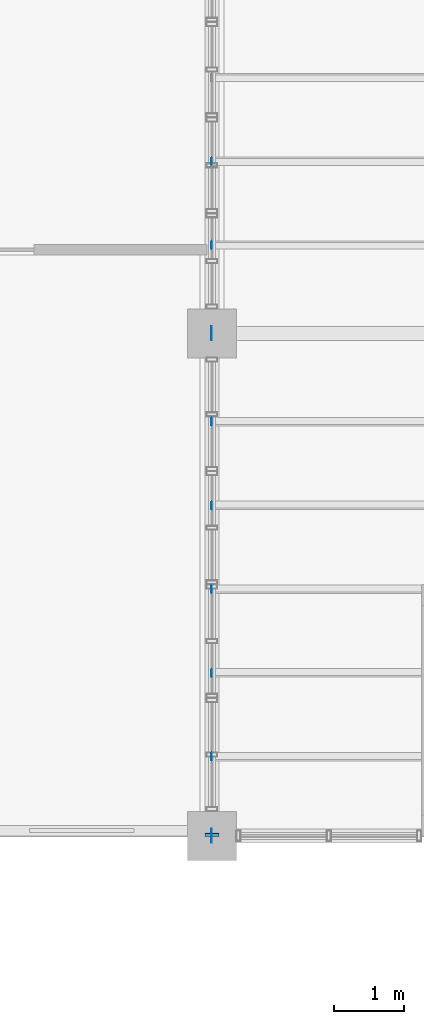
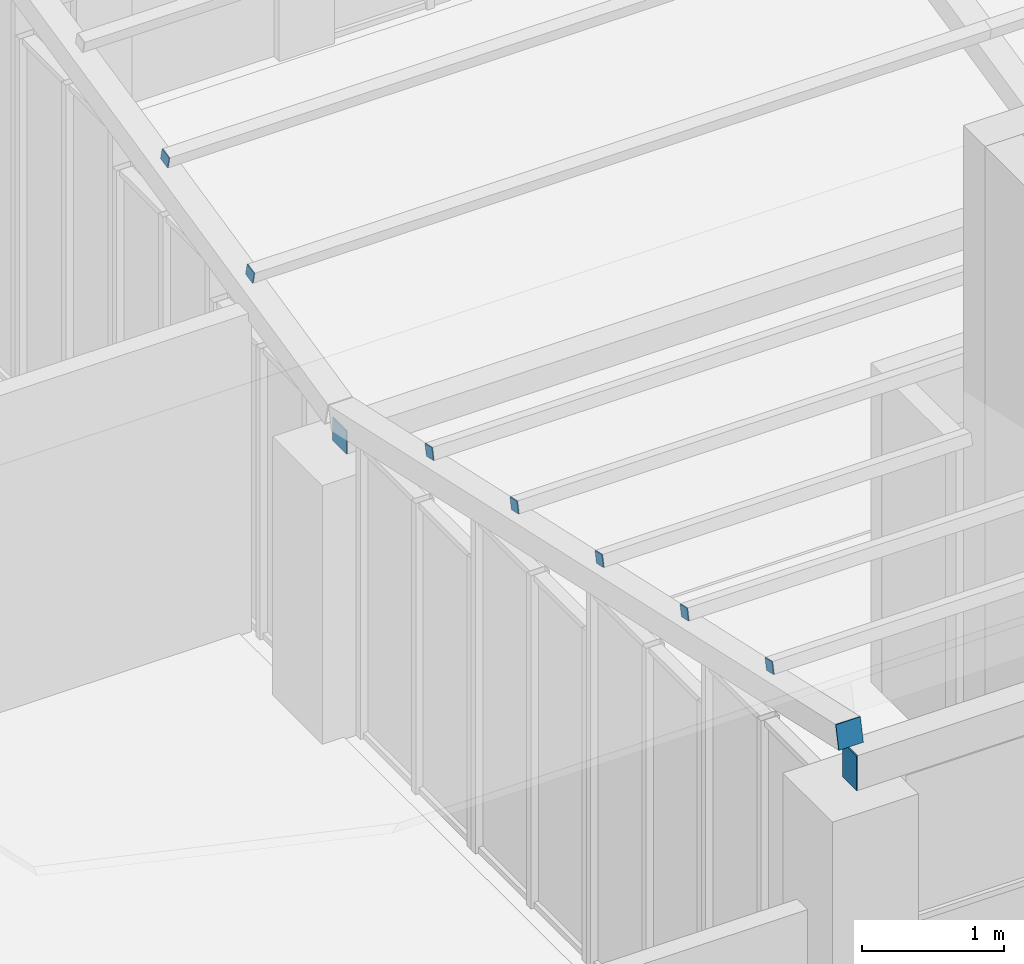
# One storey, part 42 of 51: 10 discrete accessories.
"""IFC4 building model written with IfcOpenShell, lengths in metres."""

from ifc_helpers import new_model, si_unit, direction, frame, origin, origin_2d, place, context, subcontext, project, spatial, rectangle, extrude, material, material_profile, profile_set, type_object, element, save


model = new_model("IFC4")

# Units and contexts
model_context = context("Model", 3, precision=1e-05, world=origin(), true_north=direction((0.0, 1.0)))
body_context = subcontext(model_context, "Body", "Model", "MODEL_VIEW")
ifc_project = project(units=[si_unit("LENGTHUNIT", "METRE"), si_unit("AREAUNIT", "SQUARE_METRE"), si_unit("VOLUMEUNIT", "CUBIC_METRE"), si_unit("PLANEANGLEUNIT", "RADIAN"), si_unit("MASSUNIT", "GRAM", prefix="KILO")], contexts=[model_context])

# Site, building, storey
site_placement = place(None, origin())
site = spatial("IfcSite", under=ifc_project, at=site_placement, CompositionType="ELEMENT")
building_placement = place(site_placement, origin())
building = spatial("IfcBuilding", under=site, at=building_placement, Name="Laocheng Heights Fire and Rescue Headquarters", CompositionType="ELEMENT")
storey_placement = place(building_placement, frame((0.0, 0.0, 21.0)))
storey = spatial("IfcBuildingStorey", under=building, at=storey_placement, Name="L05", CompositionType="ELEMENT", Elevation=21.0)

# Discrete accessories
ifc_material_1 = material(Name="Steel Q355B", Category="steel")
ifc_material_profile_1 = material_profile(ifc_material_1, rectangle(XDim=0.10009765625, YDim=0.10009765625, at=origin_2d()), Name="END CAP PLATE 100 x 100 x 8 FOR RHS 100x100x5 PURLIN")
ifc_profile_set_1 = profile_set([ifc_material_profile_1], Name="Steel Q355B")
discrete_accessory_type_1 = type_object("IfcDiscreteAccessoryType", Name="END CAP PLATE 100 x 100 x 8 FOR RHS 100x100x5 PURLIN", PredefinedType="BRACKET", material=ifc_profile_set_1)
for number, where, z_axis, x_axis, name in (
    (1, (95.991943359375, 44.465087890625, 2.973876953125), (1.0, 0.0, 0.0), (0.0, 0.976187089372, 0.216930326473), "Cap plate at Butterfly purlin N 1.2 end 1"),
    (2, (95.991943359375, 45.6650390625, 3.240478515625), (1.0, 0.0, 0.0), (0.0, 0.976187089372, 0.216930326473), "Cap plate at Butterfly purlin N 2.4 end 1"),
    (3, (95.991943359375, 41.934814453125, 2.973876953125), (1.0, 0.0, 0.0), (0.0, 0.976187089372, -0.216930326473), "Cap plate at Butterfly purlin S 1.2 end 1"),
    (4, (95.991943359375, 40.73486328125, 3.240478515625), (1.0, 0.0, 0.0), (0.0, 0.976187089372, -0.216930326473), "Cap plate at Butterfly purlin S 2.4 end 1"),
    (5, (95.991943359375, 39.534912109375, 3.507080078125), (1.0, 0.0, 0.0), (0.0, 0.976187089372, -0.216930326473), "Cap plate at Butterfly purlin S 3.6 end 1"),
    (6, (95.991943359375, 38.3349609375, 3.773681640625), (1.0, 0.0, 0.0), (0.0, 0.976187089372, -0.216930326473), "Cap plate at Butterfly purlin S 4.8 end 1"),
    (7, (95.991943359375, 37.135009765625, 4.04052734375), (1.0, 0.0, 0.0), (0.0, 0.976187089372, -0.216930326473), "Cap plate at Butterfly purlin S 6 end 1"),
):
    element("IfcDiscreteAccessory", number, at=place(storey_placement, frame(where, z_axis=z_axis, x_axis=x_axis)), inside=storey, type_object=discrete_accessory_type_1, Name=name, PredefinedType="BRACKET", context=body_context, shape_type="SweptSolid", body=[
        extrude(rectangle(XDim=0.10009765625, YDim=0.10009765625, at=origin_2d()), origin(), (0.0, 0.0, 1.0), 0.008056640625),
    ])
ifc_material_2 = material(Name="Steel Q355B", Category="steel")
ifc_material_profile_2 = material_profile(ifc_material_2, rectangle(XDim=0.199951171875, YDim=0.199951171875, at=origin_2d()), Name="END CAP PLATE 200 x 200 x 8 FOR SHS 200x200x8 RAFTER")
ifc_profile_set_2 = profile_set([ifc_material_profile_2], Name="Steel Q355B")
discrete_accessory_type_2 = type_object("IfcDiscreteAccessoryType", Name="END CAP PLATE 200 x 200 x 8 FOR SHS 200x200x8 RAFTER", PredefinedType="BRACKET", material=ifc_profile_set_2)
discrete_accessory_1_placement = place(storey_placement, frame((96.0, 36.013916015625, 4.135986328125), z_axis=(0.0, 0.976900017396, -0.213696878805), x_axis=(-1.0, 0.0, 0.0)))
element("IfcDiscreteAccessory", 8, at=discrete_accessory_1_placement, inside=storey, type_object=discrete_accessory_type_2, Name="Cap plate at Butterfly rafter S 96 end 1", PredefinedType="BRACKET", context=body_context, shape_type="SweptSolid", body=[
    extrude(rectangle(XDim=0.199951171875, YDim=0.199951171875, at=origin_2d()), origin(), (0.0, 0.0, 1.0), 0.008056640625),
])
ifc_material_3 = material(Name="Steel Q355B", Category="steel")
ifc_material_profile_3 = material_profile(ifc_material_3, rectangle(XDim=0.199951171875, YDim=0.199951171875, at=origin_2d()), Name="END CAP PLATE 200 x 200 x 8 FOR SHS 200x200x8 VALLEY BEAM")
ifc_profile_set_3 = profile_set([ifc_material_profile_3], Name="Steel Q355B")
discrete_accessory_type_3 = type_object("IfcDiscreteAccessoryType", Name="END CAP PLATE 200 x 200 x 8 FOR SHS 200x200x8 VALLEY BEAM", PredefinedType="BRACKET", material=ifc_profile_set_3)
discrete_accessory_2_placement = place(storey_placement, frame((95.991943359375, 43.199951171875, 2.347412109375), z_axis=(1.0, 0.0, 0.0), x_axis=(0.0, 1.0, 0.0)))
element("IfcDiscreteAccessory", 9, at=discrete_accessory_2_placement, inside=storey, type_object=discrete_accessory_type_3, Name="Cap plate at Butterfly valley beam end 1", PredefinedType="BRACKET", context=body_context, shape_type="SweptSolid", body=[
    extrude(rectangle(XDim=0.199951171875, YDim=0.199951171875, at=origin_2d()), origin(), (0.0, 0.0, 1.0), 0.008056640625),
])
ifc_material_4 = material(Name="Steel Q355B", Category="steel")
ifc_material_profile_4 = material_profile(ifc_material_4, rectangle(XDim=0.199951171875, YDim=0.300048828125, at=origin_2d()), Name="END CAP PLATE 200 x 300 x 10 FOR RHS 300x200x10 EAVE BEAM")
ifc_profile_set_4 = profile_set([ifc_material_profile_4], Name="Steel Q355B")
discrete_accessory_type_4 = type_object("IfcDiscreteAccessoryType", Name="END CAP PLATE 200 x 300 x 10 FOR RHS 300x200x10 EAVE BEAM", PredefinedType="BRACKET", material=ifc_profile_set_4)
discrete_accessory_3_placement = place(storey_placement, frame((95.989990234375, 36.0, 3.864501953125), z_axis=(1.0, 0.0, 0.0), x_axis=(0.0, 1.0, 0.0)))
element("IfcDiscreteAccessory", 10, at=discrete_accessory_3_placement, inside=storey, type_object=discrete_accessory_type_4, Name="Cap plate at Butterfly eave beam S end 1", PredefinedType="BRACKET", context=body_context, shape_type="SweptSolid", body=[
    extrude(rectangle(XDim=0.199951171875, YDim=0.300048828125, at=origin_2d()), origin(), (0.0, 0.0, 1.0), 0.010009765625),
])

save(model, "model.ifc")
